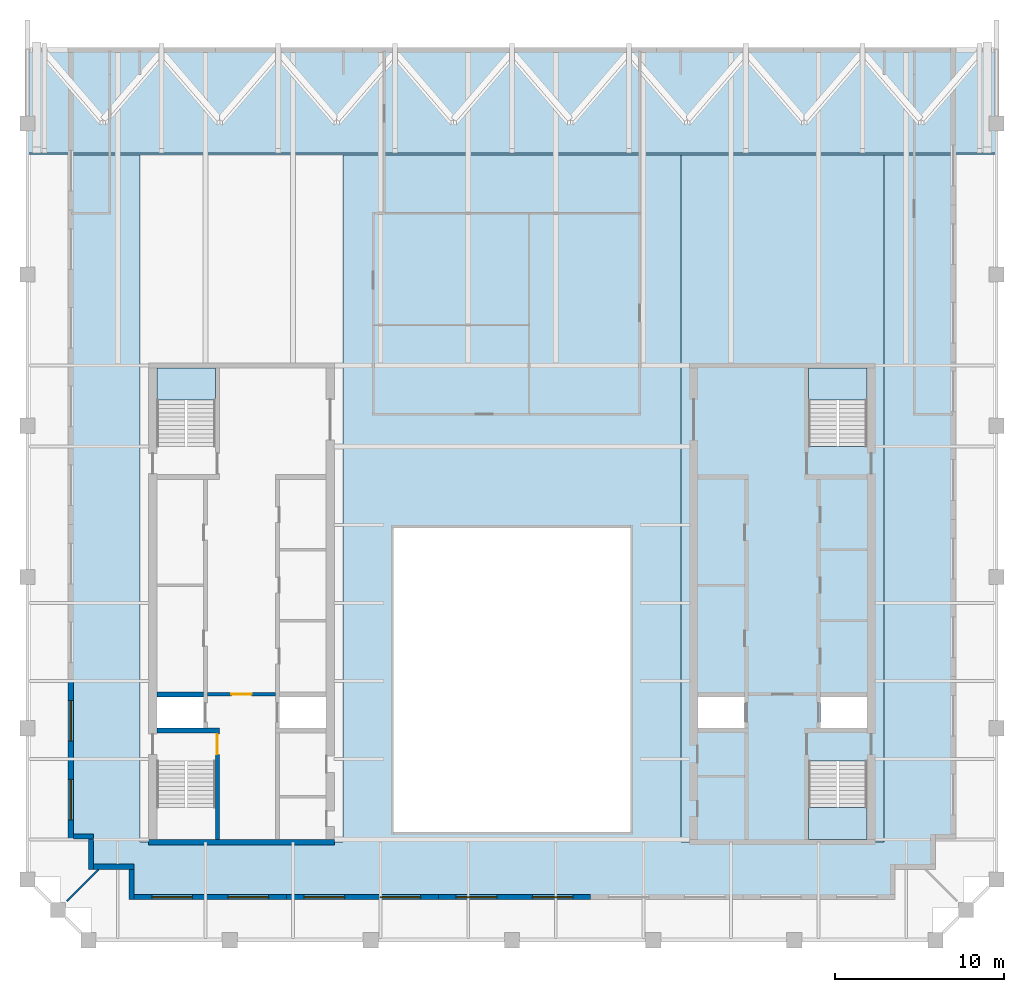
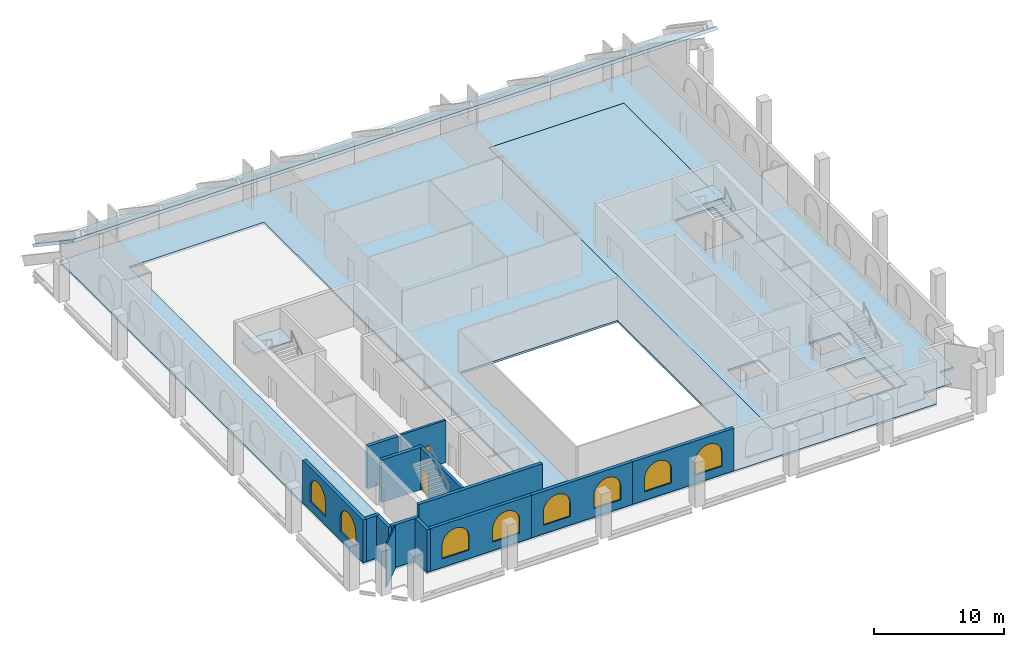
# One storey, part 2 of 8: 14 walls, 8 windows, 6 slabs, 2 doors, 10 openings, 3 elements without a shape of their own.
"""IFC4 building model written with IfcOpenShell, lengths in metres."""

from ifc_helpers import new_model, si_unit, direction, frame, frame_2d, origin, place, context, subcontext, project, spatial, polyline, rectangle, outline, extrude, material, layer, layer_set, type_object, element, fill, aggregate, save


model = new_model("IFC4")

# Units and contexts
model_context = context("Model", 3, precision=1e-05, world=origin(), true_north=direction((0.0, 1.0)))
body_context = subcontext(model_context, "Body", "Model", "MODEL_VIEW")
ifc_project = project(units=[si_unit("LENGTHUNIT", "METRE"), si_unit("AREAUNIT", "SQUARE_METRE"), si_unit("VOLUMEUNIT", "CUBIC_METRE"), si_unit("PLANEANGLEUNIT", "RADIAN"), si_unit("MASSUNIT", "GRAM", prefix="KILO")], contexts=[model_context])

# Site, building, storey
site_placement = place(None, origin())
site = spatial("IfcSite", under=ifc_project, at=site_placement, CompositionType="ELEMENT")
building_placement = place(site_placement, origin())
building = spatial("IfcBuilding", under=site, at=building_placement, Name="Ogive Exchange Tower", CompositionType="ELEMENT")
storey_placement = place(building_placement, frame((0.0, 0.0, 377.39990234375)))
storey = spatial("IfcBuildingStorey", under=building, at=storey_placement, Name="C03", CompositionType="ELEMENT", Elevation=377.39990234375)

# Slabs
ifc_material_1 = material(Name="Concrete C50/60", Category="concrete")
ifc_layer_1 = layer(ifc_material_1, 0.199951171875)
ifc_layer_set_1 = layer_set([ifc_layer_1], Name="Composite floor slab 200")
slab_type_1 = type_object("IfcSlabType", Name="Composite floor slab 200", PredefinedType="FLOOR", material=ifc_layer_set_1)
slab_1_placement = place(storey_placement, frame((0.0, 0.0, -0.199951171875)))
element("IfcSlab", 1, at=slab_1_placement, inside=storey, type_object=slab_type_1, Name="Composite floor slab", PredefinedType="FLOOR", context=body_context, shape_type="SweptSolid", body=[
    extrude(outline(polyline([(-24.449951171875, -2.39990234375), (-24.449951171875, -2.39990234375), (-26.25, -2.39990234375), (-26.25, 44.401123046875), (26.25, 44.401123046875), (26.25, -2.39990234375), (24.449951171875, -2.39990234375), (24.449951171875, -2.39990234375), (25.050048828125, -2.39990234375), (25.050048828125, -4.199951171875), (24.449951171875, -4.199951171875), (24.449951171875, -4.199951171875), (22.64990234375, -4.199951171875), (22.64990234375, -6.0), (-22.64990234375, -6.0), (-22.64990234375, -4.199951171875), (-24.449951171875, -4.199951171875), (-24.449951171875, -4.199951171875), (-25.050048828125, -4.199951171875), (-25.050048828125, -2.39990234375), (-24.449951171875, -2.39990234375)]), holes=[polyline([(7.0, -2.0), (7.0, 16.0), (-7.0, 16.0), (-7.0, -2.0), (7.0, -2.0)]), polyline([(-22.0, -2.60009765625), (-10.0, -2.60009765625), (-10.0, 41.0), (-22.0, 41.0), (-22.0, -2.60009765625)]), polyline([(10.0, -2.60009765625), (22.0, -2.60009765625), (22.0, 41.0), (10.0, 41.0), (10.0, -2.60009765625)])]), origin(), (0.0, 0.0, 1.0), 0.199951171875),
])
ifc_material_2 = material(Name="Concrete C70/85", Category="concrete")
ifc_layer_2 = layer(ifc_material_2, 0.199951171875)
ifc_layer_set_2 = layer_set([ifc_layer_2], Name="Core floor slab 200")
slab_type_2 = type_object("IfcSlabType", Name="Core floor slab 200", PredefinedType="FLOOR", material=ifc_layer_set_2)
slab_2_placement = place(storey_placement, frame((0.0, 0.0, -0.199951171875)))
element("IfcSlab", 2, at=slab_2_placement, inside=storey, type_object=slab_type_2, Name="Core floor slab", PredefinedType="FLOOR", context=body_context, shape_type="SweptSolid", body=[
    extrude(outline(polyline([(10.0, 41.0), (22.0, 41.0), (22.0, -2.60009765625), (10.0, -2.60009765625), (10.0, 41.0)]), holes=[polyline([(21.0, 2.196044921875), (17.550048828125, 2.196044921875), (17.550048828125, -2.449951171875), (21.0, -2.449951171875), (21.0, 2.196044921875)]), polyline([(11.0, 5.992919921875), (11.0, 4.14990234375), (13.75, 4.14990234375), (13.75, 5.992919921875), (11.0, 5.992919921875)]), polyline([(18.25, 5.992919921875), (18.25, 4.14990234375), (21.0, 4.14990234375), (21.0, 5.992919921875), (18.25, 5.992919921875)]), polyline([(17.550048828125, 20.803955078125), (21.0, 20.803955078125), (21.0, 25.449951171875), (17.550048828125, 25.449951171875), (17.550048828125, 20.803955078125)])]), origin(), (0.0, 0.0, 1.0), 0.199951171875),
])
ifc_material_3 = material(Name="Precast concrete C40/50", Category="concrete")
ifc_layer_3 = layer(ifc_material_3, 0.25)
ifc_layer_set_3 = layer_set([ifc_layer_3], Name="Crown roof plane 250")
slab_type_3 = type_object("IfcSlabType", Name="Crown roof plane 250", PredefinedType="ROOF", material=ifc_layer_set_3)
slab_3_placement = place(storey_placement, frame((-28.64990234375, 38.17431640625, 6.60009765625), z_axis=(0.0, 0.559185313762, 0.829042691827), x_axis=(0.0, 0.829042691827, -0.559185313762)))
element("IfcSlab", 3, at=slab_3_placement, inside=storey, type_object=slab_type_3, Name="Crown roof plane", PredefinedType="ROOF", context=body_context, shape_type="SweptSolid", body=[
    extrude(outline(polyline([(0.0, 0.0), (7.5108395526642555, 0.0), (7.5108395526642555, -57.2998046875), (0.0, -57.2998046875), (0.0, 0.0)])), origin(), (0.0, 0.0, -1.0), 0.25),
])

# Stair, slab
ifc_material_4 = material(Name="Concrete C40/50", Category="concrete")
stair_type = type_object("IfcStairType", Name="Exit stair 1650 wide", PredefinedType="HALF_TURN_STAIR", material=ifc_material_4)
stair_1_placement = place(storey_placement, origin())
stair_1 = element("IfcStair", 4, at=stair_1_placement, inside=storey, type_object=stair_type, Name="C03 exit stair ST2", PredefinedType="HALF_TURN_STAIR")
ifc_layer_4 = layer(ifc_material_4, 0.199951171875)
ifc_layer_set_4 = layer_set([ifc_layer_4], Name="Stair landing 200 slab")
slab_type_4 = type_object("IfcSlabType", Name="Stair landing 200 slab", PredefinedType="LANDING", material=ifc_layer_set_4)
slab_4_placement = place(storey_placement, frame((0.0, 0.0, 1.900146484375)))
slab_4 = element("IfcSlab", 5, at=slab_4_placement, type_object=slab_type_4, Name="ST2 landing 1", PredefinedType="LANDING", context=body_context, shape_type="SweptSolid", body=[
    extrude(outline(polyline([(-17.550048828125, 23.550048828125), (-17.550048828125, 25.449951171875), (-21.0, 25.449951171875), (-21.0, 23.550048828125), (-17.550048828125, 23.550048828125)])), origin(), (0.0, 0.0, 1.0), 0.199951171875),
])
aggregate(stair_1, [slab_4])

stair_2_placement = place(storey_placement, origin())
stair_2 = element("IfcStair", 6, at=stair_2_placement, inside=storey, type_object=stair_type, Name="C03 exit stair ST3", PredefinedType="HALF_TURN_STAIR")
slab_5_placement = place(storey_placement, frame((0.0, 0.0, 1.900146484375)))
slab_5 = element("IfcSlab", 7, at=slab_5_placement, type_object=slab_type_4, Name="ST3 landing 1", PredefinedType="LANDING", context=body_context, shape_type="SweptSolid", body=[
    extrude(outline(polyline([(17.550048828125, -0.550048828125), (17.550048828125, -2.449951171875), (21.0, -2.449951171875), (21.0, -0.550048828125), (17.550048828125, -0.550048828125)])), origin(), (0.0, 0.0, 1.0), 0.199951171875),
])
aggregate(stair_2, [slab_5])

stair_3_placement = place(storey_placement, origin())
stair_3 = element("IfcStair", 8, at=stair_3_placement, inside=storey, type_object=stair_type, Name="C03 exit stair ST4", PredefinedType="HALF_TURN_STAIR")
slab_6_placement = place(storey_placement, frame((0.0, 0.0, 1.900146484375)))
slab_6 = element("IfcSlab", 9, at=slab_6_placement, type_object=slab_type_4, Name="ST4 landing 1", PredefinedType="LANDING", context=body_context, shape_type="SweptSolid", body=[
    extrude(outline(polyline([(21.0, 23.550048828125), (21.0, 25.449951171875), (17.550048828125, 25.449951171875), (17.550048828125, 23.550048828125), (21.0, 23.550048828125)])), origin(), (0.0, 0.0, 1.0), 0.199951171875),
])
aggregate(stair_3, [slab_6])

# Wall
ifc_material_5 = material(Name="Laminated safety glass in steel frame", Category="steel")
ifc_layer_5 = layer(ifc_material_5, 0.10009765625)
ifc_layer_set_5 = layer_set([ifc_layer_5], Name="Loggia end screen 100")
wall_type_1 = type_object("IfcWallType", Name="Loggia end screen 100", PredefinedType="STANDARD", material=ifc_layer_set_5)
wall_1_placement = place(storey_placement, frame((-24.449951171875, -4.199951171875, -0.0498046875), z_axis=(0.0, 0.0, 1.0), x_axis=(-0.707106781187, -0.707106781187, 0.0)))
element("IfcWall", 10, at=wall_1_placement, inside=storey, type_object=wall_type_1, Name="Loggia end screen C4", PredefinedType="STANDARD", context=body_context, shape_type="SweptSolid", body=[
    extrude(rectangle(XDim=2.667236328125, YDim=0.10009765625, at=frame_2d((1.33349609375, 0.0))), origin(), (0.0, 0.0, 1.0), 4.0498046875),
])

# Wall, opening, door
ifc_layer_6 = layer(ifc_material_2, 0.199951171875)
ifc_layer_set_6 = layer_set([ifc_layer_6], Name="RC core wall 200 C70/85")
wall_type_2 = type_object("IfcWallType", Name="RC core wall 200 C70/85", PredefinedType="SHEAR", material=ifc_layer_set_6)
wall_2_placement = place(storey_placement, frame((-18.0, 6.142822265625, 0.0), z_axis=(0.0, 0.0, 1.0), x_axis=(1.0, 0.0, 0.0)))
wall_2 = element("IfcWall", 11, at=wall_2_placement, inside=storey, type_object=wall_type_2, Name="W firefighting lobby wall", PredefinedType="SHEAR", context=body_context, shape_type="SweptSolid", body=[
    extrude(rectangle(XDim=4.0, YDim=0.199951171875, at=frame_2d((2.0, 0.0))), origin(), (0.0, 0.0, 1.0), 4.0),
])
opening_1_placement = place(wall_2_placement, frame((1.39990234375, 0.0, 0.0)))
opening_1 = element("IfcOpeningElement", 12, at=opening_1_placement, cuts=wall_2, Name="Opening C03-C08", PredefinedType="OPENING", context=body_context, shape_type="SweptSolid", body=[
    extrude(rectangle(XDim=1.199951171875, YDim=2.10009765625, at=frame_2d((0.60009765625, 1.050048828125))), frame((0.0, 0.10986328125, 0.0), z_axis=(0.0, -1.0, 0.0), x_axis=(1.0, 0.0, 0.0)), (0.0, 0.0, 1.0), 0.219970703125),
])
ifc_material_6 = material(Name="Steel fire door", Category="steel")
door_type_1 = type_object("IfcDoorType", Name="Firefighting lobby door FD60 1200 x 2100", OperationType="NOTDEFINED", PredefinedType="DOOR", material=ifc_material_6)
door_1_placement = place(opening_1_placement, frame((1.199951171875, 0.0, 0.0), z_axis=(0.0, 0.0, 1.0), x_axis=(-1.0, 0.0, 0.0)))
door_1 = element("IfcDoor", 13, at=door_1_placement, inside=storey, type_object=door_type_1, Name="Firefighting lobby door", ObjectType="CD3", OperationType="SINGLE_SWING_LEFT", OverallHeight=2.10009765625, OverallWidth=1.199951171875, PredefinedType="DOOR", context=body_context, shape_type="SweptSolid", body=[
    extrude(rectangle(XDim=1.199951171875, YDim=2.10009765625, at=frame_2d((0.60009765625, 1.050048828125))), frame((0.0, 0.02490234375, 0.0), z_axis=(0.0, -1.0, 0.0), x_axis=(1.0, 0.0, 0.0)), (0.0, 0.0, 1.0), 0.050048828125),
])
fill(opening_1, door_1)

ifc_layer_7 = layer(ifc_material_2, 0.25)
ifc_layer_set_7 = layer_set([ifc_layer_7], Name="RC core wall 250 C70/85")
wall_type_3 = type_object("IfcWallType", Name="RC core wall 250 C70/85", PredefinedType="SHEAR", material=ifc_layer_set_7)
wall_3_placement = place(storey_placement, frame((-17.425048828125, -2.449951171875, 0.0), z_axis=(0.0, 0.0, 1.0), x_axis=(0.0, 1.0, 0.0)))
wall_3 = element("IfcWall", 14, at=wall_3_placement, inside=storey, type_object=wall_type_3, Name="W stair S front wall", PredefinedType="SHEAR", context=body_context, shape_type="SweptSolid", body=[
    extrude(rectangle(XDim=6.300048828125, YDim=0.25, at=frame_2d((3.14990234375, 0.0))), origin(), (0.0, 0.0, 1.0), 4.0),
])
opening_2_placement = place(wall_3_placement, frame((5.050048828125, 0.0, 0.0)))
opening_2 = element("IfcOpeningElement", 15, at=opening_2_placement, cuts=wall_3, Name="Opening C03-C10", PredefinedType="OPENING", context=body_context, shape_type="SweptSolid", body=[
    extrude(rectangle(XDim=1.199951171875, YDim=2.10009765625, at=frame_2d((0.60009765625, 1.050048828125))), frame((0.0, 0.135009765625, 0.0), z_axis=(0.0, -1.0, 0.0), x_axis=(1.0, 0.0, 0.0)), (0.0, 0.0, 1.0), 0.27001953125),
])
door_type_2 = type_object("IfcDoorType", Name="Stair door FD90 1200 x 2100", OperationType="NOTDEFINED", PredefinedType="DOOR", material=ifc_material_6)
door_2_placement = place(opening_2_placement, origin())
door_2 = element("IfcDoor", 16, at=door_2_placement, inside=storey, type_object=door_type_2, Name="Stair door", ObjectType="CD5", OperationType="SINGLE_SWING_LEFT", OverallHeight=2.10009765625, OverallWidth=1.199951171875, PredefinedType="DOOR", context=body_context, shape_type="SweptSolid", body=[
    extrude(rectangle(XDim=1.199951171875, YDim=2.10009765625, at=frame_2d((0.60009765625, 1.050048828125))), frame((0.0, 0.02490234375, 0.0), z_axis=(0.0, -1.0, 0.0), x_axis=(1.0, 0.0, 0.0)), (0.0, 0.0, 1.0), 0.050048828125),
])
fill(opening_2, door_2)

# Walls
ifc_layer_8 = layer(ifc_material_2, 0.300048828125)
ifc_layer_set_8 = layer_set([ifc_layer_8], Name="RC core wall 300 C70/85")
wall_type_4 = type_object("IfcWallType", Name="RC core wall 300 C70/85", PredefinedType="SHEAR", material=ifc_layer_set_8)
wall_4_placement = place(storey_placement, frame((-21.5, -2.60009765625, 0.0), z_axis=(0.0, 0.0, 1.0), x_axis=(1.0, 0.0, 0.0)))
element("IfcWall", 17, at=wall_4_placement, inside=storey, type_object=wall_type_4, Name="W south end wall", PredefinedType="SHEAR", context=body_context, shape_type="SweptSolid", body=[
    extrude(rectangle(XDim=11.0, YDim=0.300048828125, at=frame_2d((5.5, 0.0))), origin(), (0.0, 0.0, 1.0), 4.0),
])
wall_5_placement = place(storey_placement, frame((-21.0, 4.0, 0.0), z_axis=(0.0, 0.0, 1.0), x_axis=(1.0, 0.0, 0.0)))
element("IfcWall", 18, at=wall_5_placement, inside=storey, type_object=wall_type_4, Name="W stair S north wall", PredefinedType="SHEAR", context=body_context, shape_type="SweptSolid", body=[
    extrude(rectangle(XDim=3.699951171875, YDim=0.300048828125, at=frame_2d((1.85009765625, 0.0))), origin(), (0.0, 0.0, 1.0), 4.0),
])
wall_6_placement = place(storey_placement, frame((-21.0, 6.142822265625, 0.0), z_axis=(0.0, 0.0, 1.0), x_axis=(1.0, 0.0, 0.0)))
element("IfcWall", 19, at=wall_6_placement, inside=storey, type_object=wall_type_4, Name="W row A divider 1", PredefinedType="SHEAR", context=body_context, shape_type="SweptSolid", body=[
    extrude(rectangle(XDim=2.75, YDim=0.300048828125, at=frame_2d((1.375, 0.0))), origin(), (0.0, 0.0, 1.0), 4.0),
])
ifc_layer_9 = layer(ifc_material_3, 0.300048828125)
ifc_layer_set_9 = layer_set([ifc_layer_9], Name="Zinc-clad crown wall 300")
wall_type_5 = type_object("IfcWallType", Name="Zinc-clad crown wall 300", PredefinedType="STANDARD", material=ifc_layer_set_9)
wall_7_placement = place(storey_placement, frame((-24.89990234375, -2.39990234375, 0.0), z_axis=(0.0, 0.0, 1.0), x_axis=(0.0, -1.0, 0.0)))
element("IfcWall", 20, at=wall_7_placement, inside=storey, type_object=wall_type_5, Name="Crown wall 1", PredefinedType="STANDARD", context=body_context, shape_type="SweptSolid", body=[
    extrude(rectangle(XDim=1.800048828125, YDim=0.300048828125, at=frame_2d((0.89990234375, 0.0))), origin(), (0.0, 0.0, 1.0), 4.0),
])
wall_8_placement = place(storey_placement, frame((-24.75, -4.050048828125, 0.0), z_axis=(0.0, 0.0, 1.0), x_axis=(1.0, 0.0, 0.0)))
element("IfcWall", 21, at=wall_8_placement, inside=storey, type_object=wall_type_5, Name="Crown wall 2", PredefinedType="STANDARD", context=body_context, shape_type="SweptSolid", body=[
    extrude(rectangle(XDim=2.39990234375, YDim=0.300048828125, at=frame_2d((1.199951171875, 0.0))), origin(), (0.0, 0.0, 1.0), 4.0),
])
wall_9_placement = place(storey_placement, frame((-22.5, -4.199951171875, 0.0), z_axis=(0.0, 0.0, 1.0), x_axis=(0.0, -1.0, 0.0)))
element("IfcWall", 22, at=wall_9_placement, inside=storey, type_object=wall_type_5, Name="Crown wall 3", PredefinedType="STANDARD", context=body_context, shape_type="SweptSolid", body=[
    extrude(rectangle(XDim=1.800048828125, YDim=0.300048828125, at=frame_2d((0.89990234375, 0.0))), origin(), (0.0, 0.0, 1.0), 4.0),
])

# Wall, openings, windows
wall_10_placement = place(storey_placement, frame((-22.35009765625, -5.85009765625, 0.0), z_axis=(0.0, 0.0, 1.0), x_axis=(1.0, 0.0, 0.0)))
wall_10 = element("IfcWall", 23, at=wall_10_placement, inside=storey, type_object=wall_type_5, Name="Crown wall 4", PredefinedType="STANDARD", context=body_context, shape_type="SweptSolid", body=[
    extrude(rectangle(XDim=9.0, YDim=0.300048828125, at=frame_2d((4.5, 0.0))), origin(), (0.0, 0.0, 1.0), 4.0),
])
opening_3_placement = place(wall_10_placement, frame((1.050048828125, 0.0, 0.800048828125)))
opening_3 = element("IfcOpeningElement", 24, at=opening_3_placement, cuts=wall_10, Name="Opening WC25", PredefinedType="OPENING", context=body_context, shape_type="SweptSolid", body=[
    extrude(outline(polyline([(0.0, 0.0), (2.39990234375, 0.0), (2.39990234375, 1.25), (2.377197265625, 1.48779296875), (2.3095703125, 1.717041015625), (2.19970703125, 1.928955078125), (2.05126953125, 2.116455078125), (1.8701171875, 2.272216796875), (1.662841796875, 2.390625), (1.4365234375, 2.467529296875), (1.199951171875, 2.5), (0.96337890625, 2.467529296875), (0.737060546875, 2.390625), (0.52978515625, 2.272216796875), (0.3486328125, 2.116455078125), (0.2001953125, 1.928955078125), (0.09033203125, 1.717041015625), (0.022705078125, 1.48779296875), (0.0, 1.25), (0.0, 0.0)])), frame((0.0, 0.159912109375, 0.0), z_axis=(0.0, -1.0, 0.0), x_axis=(1.0, 0.0, 0.0)), (0.0, 0.0, 1.0), 0.320068359375),
])
opening_4_placement = place(wall_10_placement, frame((5.550048828125, 0.0, 0.800048828125)))
opening_4 = element("IfcOpeningElement", 25, at=opening_4_placement, cuts=wall_10, Name="Opening WC25", PredefinedType="OPENING", context=body_context, shape_type="SweptSolid", body=[
    extrude(outline(polyline([(0.0, 0.0), (2.39990234375, 0.0), (2.39990234375, 1.25), (2.377197265625, 1.48779296875), (2.3095703125, 1.717041015625), (2.19970703125, 1.928955078125), (2.05126953125, 2.116455078125), (1.8701171875, 2.272216796875), (1.662841796875, 2.390625), (1.4365234375, 2.467529296875), (1.199951171875, 2.5), (0.96337890625, 2.467529296875), (0.737060546875, 2.390625), (0.52978515625, 2.272216796875), (0.3486328125, 2.116455078125), (0.2001953125, 1.928955078125), (0.09033203125, 1.717041015625), (0.022705078125, 1.48779296875), (0.0, 1.25), (0.0, 0.0)])), frame((0.0, 0.159912109375, 0.0), z_axis=(0.0, -1.0, 0.0), x_axis=(1.0, 0.0, 0.0)), (0.0, 0.0, 1.0), 0.320068359375),
])
ifc_material_7 = material(Name="Clear glass in bronze frame", Category="glass")
window_type = type_object("IfcWindowType", Name="Crown lancet window 2400 x 2500", PartitioningType="DOUBLE_PANEL_VERTICAL", PredefinedType="WINDOW", material=ifc_material_7)
window_1_placement = place(opening_3_placement, origin())
window_1 = element("IfcWindow", 26, at=window_1_placement, inside=storey, type_object=window_type, Name="Crown lancet 4.1", OverallHeight=2.5, OverallWidth=2.39990234375, PartitioningType="DOUBLE_PANEL_VERTICAL", PredefinedType="WINDOW", context=body_context, shape_type="SweptSolid", body=[
    extrude(outline(polyline([(0.0, 0.0), (2.39990234375, 0.0), (2.39990234375, 1.25), (2.377197265625, 1.48779296875), (2.3095703125, 1.717041015625), (2.19970703125, 1.928955078125), (2.05126953125, 2.116455078125), (1.8701171875, 2.272216796875), (1.662841796875, 2.390625), (1.4365234375, 2.467529296875), (1.199951171875, 2.5), (0.96337890625, 2.467529296875), (0.737060546875, 2.390625), (0.52978515625, 2.272216796875), (0.3486328125, 2.116455078125), (0.2001953125, 1.928955078125), (0.09033203125, 1.717041015625), (0.022705078125, 1.48779296875), (0.0, 1.25), (0.0, 0.0)])), frame((0.0, 0.030029296875, 0.0), z_axis=(0.0, -1.0, 0.0), x_axis=(1.0, 0.0, 0.0)), (0.0, 0.0, 1.0), 0.06005859375),
])
fill(opening_3, window_1)
window_2_placement = place(opening_4_placement, origin())
window_2 = element("IfcWindow", 27, at=window_2_placement, inside=storey, type_object=window_type, Name="Crown lancet 4.2", OverallHeight=2.5, OverallWidth=2.39990234375, PartitioningType="DOUBLE_PANEL_VERTICAL", PredefinedType="WINDOW", context=body_context, shape_type="SweptSolid", body=[
    extrude(outline(polyline([(0.0, 0.0), (2.39990234375, 0.0), (2.39990234375, 1.25), (2.377197265625, 1.48779296875), (2.3095703125, 1.717041015625), (2.19970703125, 1.928955078125), (2.05126953125, 2.116455078125), (1.8701171875, 2.272216796875), (1.662841796875, 2.390625), (1.4365234375, 2.467529296875), (1.199951171875, 2.5), (0.96337890625, 2.467529296875), (0.737060546875, 2.390625), (0.52978515625, 2.272216796875), (0.3486328125, 2.116455078125), (0.2001953125, 1.928955078125), (0.09033203125, 1.717041015625), (0.022705078125, 1.48779296875), (0.0, 1.25), (0.0, 0.0)])), frame((0.0, 0.030029296875, 0.0), z_axis=(0.0, -1.0, 0.0), x_axis=(1.0, 0.0, 0.0)), (0.0, 0.0, 1.0), 0.06005859375),
])
fill(opening_4, window_2)

wall_11_placement = place(storey_placement, frame((-13.35009765625, -5.85009765625, 0.0), z_axis=(0.0, 0.0, 1.0), x_axis=(1.0, 0.0, 0.0)))
wall_11 = element("IfcWall", 28, at=wall_11_placement, inside=storey, type_object=wall_type_5, Name="Crown wall 5", PredefinedType="STANDARD", context=body_context, shape_type="SweptSolid", body=[
    extrude(rectangle(XDim=9.0, YDim=0.300048828125, at=frame_2d((4.5, 0.0))), origin(), (0.0, 0.0, 1.0), 4.0),
])
opening_5_placement = place(wall_11_placement, frame((1.050048828125, 0.0, 0.800048828125)))
opening_5 = element("IfcOpeningElement", 29, at=opening_5_placement, cuts=wall_11, Name="Opening WC25", PredefinedType="OPENING", context=body_context, shape_type="SweptSolid", body=[
    extrude(outline(polyline([(0.0, 0.0), (2.39990234375, 0.0), (2.39990234375, 1.25), (2.377197265625, 1.48779296875), (2.3095703125, 1.717041015625), (2.19970703125, 1.928955078125), (2.05126953125, 2.116455078125), (1.8701171875, 2.272216796875), (1.662841796875, 2.390625), (1.4365234375, 2.467529296875), (1.199951171875, 2.5), (0.96337890625, 2.467529296875), (0.737060546875, 2.390625), (0.52978515625, 2.272216796875), (0.3486328125, 2.116455078125), (0.2001953125, 1.928955078125), (0.09033203125, 1.717041015625), (0.022705078125, 1.48779296875), (0.0, 1.25), (0.0, 0.0)])), frame((0.0, 0.159912109375, 0.0), z_axis=(0.0, -1.0, 0.0), x_axis=(1.0, 0.0, 0.0)), (0.0, 0.0, 1.0), 0.320068359375),
])
opening_6_placement = place(wall_11_placement, frame((5.550048828125, 0.0, 0.800048828125)))
opening_6 = element("IfcOpeningElement", 30, at=opening_6_placement, cuts=wall_11, Name="Opening WC25", PredefinedType="OPENING", context=body_context, shape_type="SweptSolid", body=[
    extrude(outline(polyline([(0.0, 0.0), (2.39990234375, 0.0), (2.39990234375, 1.25), (2.377197265625, 1.48779296875), (2.3095703125, 1.717041015625), (2.19970703125, 1.928955078125), (2.05126953125, 2.116455078125), (1.8701171875, 2.272216796875), (1.662841796875, 2.390625), (1.4365234375, 2.467529296875), (1.199951171875, 2.5), (0.96337890625, 2.467529296875), (0.737060546875, 2.390625), (0.52978515625, 2.272216796875), (0.3486328125, 2.116455078125), (0.2001953125, 1.928955078125), (0.09033203125, 1.717041015625), (0.022705078125, 1.48779296875), (0.0, 1.25), (0.0, 0.0)])), frame((0.0, 0.159912109375, 0.0), z_axis=(0.0, -1.0, 0.0), x_axis=(1.0, 0.0, 0.0)), (0.0, 0.0, 1.0), 0.320068359375),
])
window_3_placement = place(opening_5_placement, origin())
window_3 = element("IfcWindow", 31, at=window_3_placement, inside=storey, type_object=window_type, Name="Crown lancet 5.1", OverallHeight=2.5, OverallWidth=2.39990234375, PartitioningType="DOUBLE_PANEL_VERTICAL", PredefinedType="WINDOW", context=body_context, shape_type="SweptSolid", body=[
    extrude(outline(polyline([(0.0, 0.0), (2.39990234375, 0.0), (2.39990234375, 1.25), (2.377197265625, 1.48779296875), (2.3095703125, 1.717041015625), (2.19970703125, 1.928955078125), (2.05126953125, 2.116455078125), (1.8701171875, 2.272216796875), (1.662841796875, 2.390625), (1.4365234375, 2.467529296875), (1.199951171875, 2.5), (0.96337890625, 2.467529296875), (0.737060546875, 2.390625), (0.52978515625, 2.272216796875), (0.3486328125, 2.116455078125), (0.2001953125, 1.928955078125), (0.09033203125, 1.717041015625), (0.022705078125, 1.48779296875), (0.0, 1.25), (0.0, 0.0)])), frame((0.0, 0.030029296875, 0.0), z_axis=(0.0, -1.0, 0.0), x_axis=(1.0, 0.0, 0.0)), (0.0, 0.0, 1.0), 0.06005859375),
])
fill(opening_5, window_3)
window_4_placement = place(opening_6_placement, origin())
window_4 = element("IfcWindow", 32, at=window_4_placement, inside=storey, type_object=window_type, Name="Crown lancet 5.2", OverallHeight=2.5, OverallWidth=2.39990234375, PartitioningType="DOUBLE_PANEL_VERTICAL", PredefinedType="WINDOW", context=body_context, shape_type="SweptSolid", body=[
    extrude(outline(polyline([(0.0, 0.0), (2.39990234375, 0.0), (2.39990234375, 1.25), (2.377197265625, 1.48779296875), (2.3095703125, 1.717041015625), (2.19970703125, 1.928955078125), (2.05126953125, 2.116455078125), (1.8701171875, 2.272216796875), (1.662841796875, 2.390625), (1.4365234375, 2.467529296875), (1.199951171875, 2.5), (0.96337890625, 2.467529296875), (0.737060546875, 2.390625), (0.52978515625, 2.272216796875), (0.3486328125, 2.116455078125), (0.2001953125, 1.928955078125), (0.09033203125, 1.717041015625), (0.022705078125, 1.48779296875), (0.0, 1.25), (0.0, 0.0)])), frame((0.0, 0.030029296875, 0.0), z_axis=(0.0, -1.0, 0.0), x_axis=(1.0, 0.0, 0.0)), (0.0, 0.0, 1.0), 0.06005859375),
])
fill(opening_6, window_4)

wall_12_placement = place(storey_placement, frame((-4.35009765625, -5.85009765625, 0.0), z_axis=(0.0, 0.0, 1.0), x_axis=(1.0, 0.0, 0.0)))
wall_12 = element("IfcWall", 33, at=wall_12_placement, inside=storey, type_object=wall_type_5, Name="Crown wall 6", PredefinedType="STANDARD", context=body_context, shape_type="SweptSolid", body=[
    extrude(rectangle(XDim=9.0, YDim=0.300048828125, at=frame_2d((4.5, 0.0))), origin(), (0.0, 0.0, 1.0), 4.0),
])
opening_7_placement = place(wall_12_placement, frame((1.050048828125, 0.0, 0.800048828125)))
opening_7 = element("IfcOpeningElement", 34, at=opening_7_placement, cuts=wall_12, Name="Opening WC25", PredefinedType="OPENING", context=body_context, shape_type="SweptSolid", body=[
    extrude(outline(polyline([(0.0, 0.0), (2.39990234375, 0.0), (2.39990234375, 1.25), (2.377197265625, 1.48779296875), (2.3095703125, 1.717041015625), (2.19970703125, 1.928955078125), (2.05126953125, 2.116455078125), (1.8701171875, 2.272216796875), (1.662841796875, 2.390625), (1.4365234375, 2.467529296875), (1.199951171875, 2.5), (0.96337890625, 2.467529296875), (0.737060546875, 2.390625), (0.52978515625, 2.272216796875), (0.3486328125, 2.116455078125), (0.2001953125, 1.928955078125), (0.09033203125, 1.717041015625), (0.022705078125, 1.48779296875), (0.0, 1.25), (0.0, 0.0)])), frame((0.0, 0.159912109375, 0.0), z_axis=(0.0, -1.0, 0.0), x_axis=(1.0, 0.0, 0.0)), (0.0, 0.0, 1.0), 0.320068359375),
])
opening_8_placement = place(wall_12_placement, frame((5.550048828125, 0.0, 0.800048828125)))
opening_8 = element("IfcOpeningElement", 35, at=opening_8_placement, cuts=wall_12, Name="Opening WC25", PredefinedType="OPENING", context=body_context, shape_type="SweptSolid", body=[
    extrude(outline(polyline([(0.0, 0.0), (2.39990234375, 0.0), (2.39990234375, 1.25), (2.377197265625, 1.48779296875), (2.3095703125, 1.717041015625), (2.19970703125, 1.928955078125), (2.05126953125, 2.116455078125), (1.8701171875, 2.272216796875), (1.662841796875, 2.390625), (1.4365234375, 2.467529296875), (1.199951171875, 2.5), (0.96337890625, 2.467529296875), (0.737060546875, 2.390625), (0.52978515625, 2.272216796875), (0.3486328125, 2.116455078125), (0.2001953125, 1.928955078125), (0.09033203125, 1.717041015625), (0.022705078125, 1.48779296875), (0.0, 1.25), (0.0, 0.0)])), frame((0.0, 0.159912109375, 0.0), z_axis=(0.0, -1.0, 0.0), x_axis=(1.0, 0.0, 0.0)), (0.0, 0.0, 1.0), 0.320068359375),
])
window_5_placement = place(opening_7_placement, origin())
window_5 = element("IfcWindow", 36, at=window_5_placement, inside=storey, type_object=window_type, Name="Crown lancet 6.1", OverallHeight=2.5, OverallWidth=2.39990234375, PartitioningType="DOUBLE_PANEL_VERTICAL", PredefinedType="WINDOW", context=body_context, shape_type="SweptSolid", body=[
    extrude(outline(polyline([(0.0, 0.0), (2.39990234375, 0.0), (2.39990234375, 1.25), (2.377197265625, 1.48779296875), (2.3095703125, 1.717041015625), (2.19970703125, 1.928955078125), (2.05126953125, 2.116455078125), (1.8701171875, 2.272216796875), (1.662841796875, 2.390625), (1.4365234375, 2.467529296875), (1.199951171875, 2.5), (0.96337890625, 2.467529296875), (0.737060546875, 2.390625), (0.52978515625, 2.272216796875), (0.3486328125, 2.116455078125), (0.2001953125, 1.928955078125), (0.09033203125, 1.717041015625), (0.022705078125, 1.48779296875), (0.0, 1.25), (0.0, 0.0)])), frame((0.0, 0.030029296875, 0.0), z_axis=(0.0, -1.0, 0.0), x_axis=(1.0, 0.0, 0.0)), (0.0, 0.0, 1.0), 0.06005859375),
])
fill(opening_7, window_5)
window_6_placement = place(opening_8_placement, origin())
window_6 = element("IfcWindow", 37, at=window_6_placement, inside=storey, type_object=window_type, Name="Crown lancet 6.2", OverallHeight=2.5, OverallWidth=2.39990234375, PartitioningType="DOUBLE_PANEL_VERTICAL", PredefinedType="WINDOW", context=body_context, shape_type="SweptSolid", body=[
    extrude(outline(polyline([(0.0, 0.0), (2.39990234375, 0.0), (2.39990234375, 1.25), (2.377197265625, 1.48779296875), (2.3095703125, 1.717041015625), (2.19970703125, 1.928955078125), (2.05126953125, 2.116455078125), (1.8701171875, 2.272216796875), (1.662841796875, 2.390625), (1.4365234375, 2.467529296875), (1.199951171875, 2.5), (0.96337890625, 2.467529296875), (0.737060546875, 2.390625), (0.52978515625, 2.272216796875), (0.3486328125, 2.116455078125), (0.2001953125, 1.928955078125), (0.09033203125, 1.717041015625), (0.022705078125, 1.48779296875), (0.0, 1.25), (0.0, 0.0)])), frame((0.0, 0.030029296875, 0.0), z_axis=(0.0, -1.0, 0.0), x_axis=(1.0, 0.0, 0.0)), (0.0, 0.0, 1.0), 0.06005859375),
])
fill(opening_8, window_6)

wall_13_placement = place(storey_placement, frame((-26.10009765625, 6.900146484375, 0.0), z_axis=(0.0, 0.0, 1.0), x_axis=(0.0, -1.0, 0.0)))
wall_13 = element("IfcWall", 38, at=wall_13_placement, inside=storey, type_object=wall_type_5, Name="Crown wall 28", PredefinedType="STANDARD", context=body_context, shape_type="SweptSolid", body=[
    extrude(rectangle(XDim=9.300048828125, YDim=0.300048828125, at=frame_2d((4.64990234375, 0.0))), origin(), (0.0, 0.0, 1.0), 4.0),
])
opening_9_placement = place(wall_13_placement, frame((1.125, 0.0, 0.800048828125)))
opening_9 = element("IfcOpeningElement", 39, at=opening_9_placement, cuts=wall_13, Name="Opening WC25", PredefinedType="OPENING", context=body_context, shape_type="SweptSolid", body=[
    extrude(outline(polyline([(0.0, 0.0), (2.39990234375, 0.0), (2.39990234375, 1.25), (2.377197265625, 1.48779296875), (2.3095703125, 1.717041015625), (2.19970703125, 1.928955078125), (2.05126953125, 2.116455078125), (1.8701171875, 2.272216796875), (1.662841796875, 2.390625), (1.4365234375, 2.467529296875), (1.199951171875, 2.5), (0.96337890625, 2.467529296875), (0.737060546875, 2.390625), (0.52978515625, 2.272216796875), (0.3486328125, 2.116455078125), (0.2001953125, 1.928955078125), (0.09033203125, 1.717041015625), (0.022705078125, 1.48779296875), (0.0, 1.25), (0.0, 0.0)])), frame((0.0, 0.159912109375, 0.0), z_axis=(0.0, -1.0, 0.0), x_axis=(1.0, 0.0, 0.0)), (0.0, 0.0, 1.0), 0.320068359375),
])
opening_10_placement = place(wall_13_placement, frame((5.775146484375, 0.0, 0.800048828125)))
opening_10 = element("IfcOpeningElement", 40, at=opening_10_placement, cuts=wall_13, Name="Opening WC25", PredefinedType="OPENING", context=body_context, shape_type="SweptSolid", body=[
    extrude(outline(polyline([(0.0, 0.0), (2.39990234375, 0.0), (2.39990234375, 1.25), (2.377197265625, 1.48779296875), (2.3095703125, 1.717041015625), (2.19970703125, 1.928955078125), (2.05126953125, 2.116455078125), (1.8701171875, 2.272216796875), (1.662841796875, 2.390625), (1.4365234375, 2.467529296875), (1.199951171875, 2.5), (0.96337890625, 2.467529296875), (0.737060546875, 2.390625), (0.52978515625, 2.272216796875), (0.3486328125, 2.116455078125), (0.2001953125, 1.928955078125), (0.09033203125, 1.717041015625), (0.022705078125, 1.48779296875), (0.0, 1.25), (0.0, 0.0)])), frame((0.0, 0.159912109375, 0.0), z_axis=(0.0, -1.0, 0.0), x_axis=(1.0, 0.0, 0.0)), (0.0, 0.0, 1.0), 0.320068359375),
])
window_7_placement = place(opening_9_placement, origin())
window_7 = element("IfcWindow", 41, at=window_7_placement, inside=storey, type_object=window_type, Name="Crown lancet 28.1", OverallHeight=2.5, OverallWidth=2.39990234375, PartitioningType="DOUBLE_PANEL_VERTICAL", PredefinedType="WINDOW", context=body_context, shape_type="SweptSolid", body=[
    extrude(outline(polyline([(0.0, 0.0), (2.39990234375, 0.0), (2.39990234375, 1.25), (2.377197265625, 1.48779296875), (2.3095703125, 1.717041015625), (2.19970703125, 1.928955078125), (2.05126953125, 2.116455078125), (1.8701171875, 2.272216796875), (1.662841796875, 2.390625), (1.4365234375, 2.467529296875), (1.199951171875, 2.5), (0.96337890625, 2.467529296875), (0.737060546875, 2.390625), (0.52978515625, 2.272216796875), (0.3486328125, 2.116455078125), (0.2001953125, 1.928955078125), (0.09033203125, 1.717041015625), (0.022705078125, 1.48779296875), (0.0, 1.25), (0.0, 0.0)])), frame((0.0, 0.030029296875, 0.0), z_axis=(0.0, -1.0, 0.0), x_axis=(1.0, 0.0, 0.0)), (0.0, 0.0, 1.0), 0.06005859375),
])
fill(opening_9, window_7)
window_8_placement = place(opening_10_placement, origin())
window_8 = element("IfcWindow", 42, at=window_8_placement, inside=storey, type_object=window_type, Name="Crown lancet 28.2", OverallHeight=2.5, OverallWidth=2.39990234375, PartitioningType="DOUBLE_PANEL_VERTICAL", PredefinedType="WINDOW", context=body_context, shape_type="SweptSolid", body=[
    extrude(outline(polyline([(0.0, 0.0), (2.39990234375, 0.0), (2.39990234375, 1.25), (2.377197265625, 1.48779296875), (2.3095703125, 1.717041015625), (2.19970703125, 1.928955078125), (2.05126953125, 2.116455078125), (1.8701171875, 2.272216796875), (1.662841796875, 2.390625), (1.4365234375, 2.467529296875), (1.199951171875, 2.5), (0.96337890625, 2.467529296875), (0.737060546875, 2.390625), (0.52978515625, 2.272216796875), (0.3486328125, 2.116455078125), (0.2001953125, 1.928955078125), (0.09033203125, 1.717041015625), (0.022705078125, 1.48779296875), (0.0, 1.25), (0.0, 0.0)])), frame((0.0, 0.030029296875, 0.0), z_axis=(0.0, -1.0, 0.0), x_axis=(1.0, 0.0, 0.0)), (0.0, 0.0, 1.0), 0.06005859375),
])
fill(opening_10, window_8)

# Wall
wall_14_placement = place(storey_placement, frame((-25.949951171875, -2.25, 0.0), z_axis=(0.0, 0.0, 1.0), x_axis=(1.0, 0.0, 0.0)))
element("IfcWall", 43, at=wall_14_placement, inside=storey, type_object=wall_type_5, Name="Crown wall 29", PredefinedType="STANDARD", context=body_context, shape_type="SweptSolid", body=[
    extrude(rectangle(XDim=1.199951171875, YDim=0.300048828125, at=frame_2d((0.60009765625, 0.0))), origin(), (0.0, 0.0, 1.0), 4.0),
])

save(model, "model.ifc")
